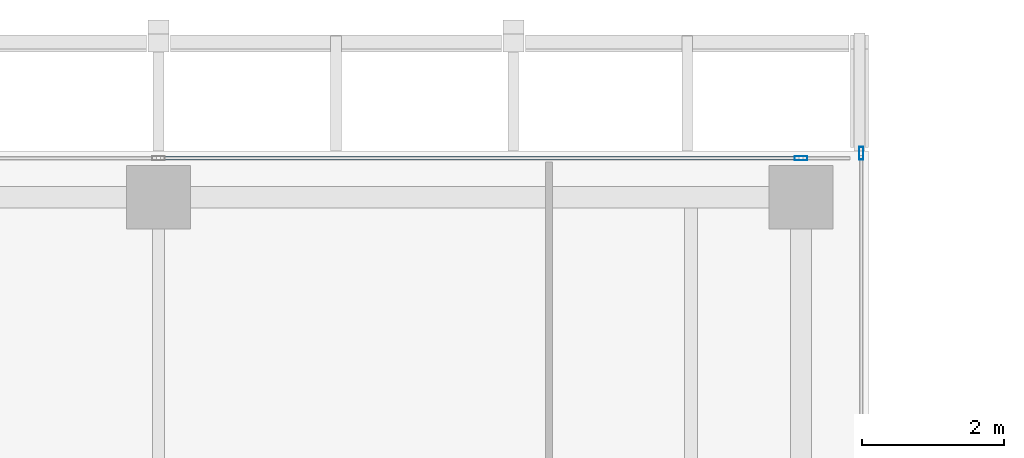
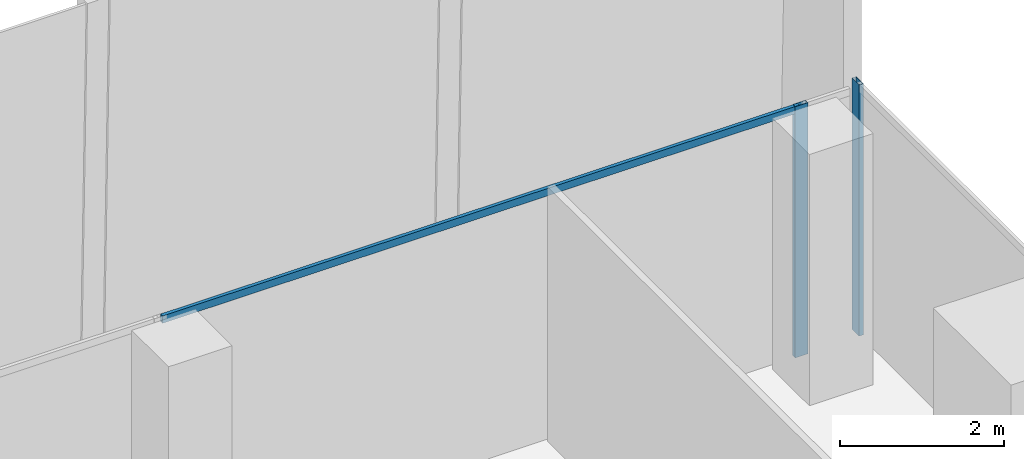
# One storey, part 21 of 35: 3 members, 2 elements without a shape of their own.
"""IFC4 building model written with IfcOpenShell, lengths in metres."""

from ifc_helpers import new_model, si_unit, direction, frame, origin, origin_2d, place, context, subcontext, project, spatial, hollow_rectangle, extrude, source, transform, mapped, material, material_profile, profile_set, type_object, element, aggregate, save


model = new_model("IFC4")

# Units and contexts
model_context = context("Model", 3, precision=1e-05, world=origin(), true_north=direction((0.0, 1.0)))
body_context = subcontext(model_context, "Body", "Model", "MODEL_VIEW")
ifc_project = project(units=[si_unit("LENGTHUNIT", "METRE"), si_unit("AREAUNIT", "SQUARE_METRE"), si_unit("VOLUMEUNIT", "CUBIC_METRE"), si_unit("PLANEANGLEUNIT", "RADIAN"), si_unit("MASSUNIT", "GRAM", prefix="KILO")], contexts=[model_context])

# Site, building, storey
site_placement = place(None, origin())
site = spatial("IfcSite", under=ifc_project, at=site_placement, CompositionType="ELEMENT")
building_placement = place(site_placement, origin())
building = spatial("IfcBuilding", under=site, at=building_placement, Name="Khomas Fold Tower", CompositionType="ELEMENT")
storey_placement = place(building_placement, frame((0.0, 0.0, 258.199951171875)))
storey = spatial("IfcBuildingStorey", under=building, at=storey_placement, Name="L58", CompositionType="ELEMENT", Elevation=258.199951171875)

# Curtain wall, member
ifc_material_1 = material(Name="Aluminium framed double glazing", Category="aluminium")
curtain_wall_type = type_object("IfcCurtainWallType", Name="SK-Unitised clear-glass wall, office floors CW2", PredefinedType="NOTDEFINED", material=ifc_material_1)
curtain_wall_1_placement = place(storey_placement, origin())
curtain_wall_1 = element("IfcCurtainWall", 1, at=curtain_wall_1_placement, inside=storey, type_object=curtain_wall_type, Name="CW2 corner return L58 05", PredefinedType="NOTDEFINED")
ifc_material_2 = material(Name="Aluminium", Category="aluminium")
ifc_material_profile_1 = material_profile(ifc_material_2, hollow_rectangle(XDim=0.06005859375, YDim=0.179931640625, WallThickness=0.00390625, at=origin_2d()), Name="SK-Unitised clear-glass wall, office floors mullion CW2-M")
ifc_profile_set_1 = profile_set([ifc_material_profile_1], Name="Aluminium")
member_type_1 = type_object("IfcMemberType", Name="SK-Unitised clear-glass wall, office floors mullion CW2-M", PredefinedType="MULLION", material=ifc_profile_set_1)
shared_shape_1 = source(origin(), body_context, "Body", "SweptSolid", [
    extrude(hollow_rectangle(XDim=0.06005859375, YDim=0.179931640625, WallThickness=0.00390625, at=origin_2d()), origin(), (0.0, 0.0, 1.0), 3.75),
])
member_1_placement = place(storey_placement, frame((44.39990234375, 49.469970703125, 0.0), z_axis=(0.0, 0.0, 1.0), x_axis=(-1.0, 0.0, 0.0)))
member_1 = element("IfcMember", 2, at=member_1_placement, type_object=member_type_1, Name="CW2 mullion 2", PredefinedType="MULLION", context=body_context, shape_type="MappedRepresentation", body=[
    mapped(shared_shape_1, transform((0.0, 0.0, 0.0))),
])
aggregate(curtain_wall_1, [member_1])

# Curtain wall, members
curtain_wall_2_placement = place(storey_placement, origin())
curtain_wall_2 = element("IfcCurtainWall", 3, at=curtain_wall_2_placement, inside=storey, type_object=curtain_wall_type, Name="CW2 run L58 06-0", PredefinedType="NOTDEFINED")
member_2_placement = place(storey_placement, frame((43.550048828125, 49.39990234375, 0.0), z_axis=(0.0, 0.0, 1.0), x_axis=(0.0, -1.0, 0.0)))
member_2 = element("IfcMember", 4, at=member_2_placement, type_object=member_type_1, Name="CW2 mullion 2", PredefinedType="MULLION", context=body_context, shape_type="MappedRepresentation", body=[
    mapped(shared_shape_1, transform((0.0, 0.0, 0.0))),
])
ifc_material_3 = material(Name="Aluminium", Category="aluminium")
ifc_material_profile_2 = material_profile(ifc_material_3, hollow_rectangle(XDim=0.050048828125, YDim=0.110107421875, WallThickness=0.00390625, at=origin_2d()), Name="SK-Unitised clear-glass wall, office floors transom CW2-T")
ifc_profile_set_2 = profile_set([ifc_material_profile_2], Name="Aluminium")
member_type_2 = type_object("IfcMemberType", Name="SK-Unitised clear-glass wall, office floors transom CW2-T", PredefinedType="USERDEFINED", material=ifc_profile_set_2)
shared_shape_2 = source(origin(), body_context, "Body", "SweptSolid", [
    extrude(hollow_rectangle(XDim=0.050048828125, YDim=0.110107421875, WallThickness=0.00390625, at=origin_2d()), origin(), (0.0, 0.0, 1.0), 8.989990234375),
])
member_3_placement = place(storey_placement, frame((43.52001953125, 49.39990234375, 3.695068359375), z_axis=(-1.0, 0.0, 0.0), x_axis=(0.0, -1.0, 0.0)))
member_3 = element("IfcMember", 5, at=member_3_placement, type_object=member_type_2, Name="CW2 transom 2", ObjectType="TRANSOM", PredefinedType="USERDEFINED", context=body_context, shape_type="MappedRepresentation", body=[
    mapped(shared_shape_2, transform((0.0, 0.0, 0.0))),
])
aggregate(curtain_wall_2, [member_2, member_3])

save(model, "model.ifc")
